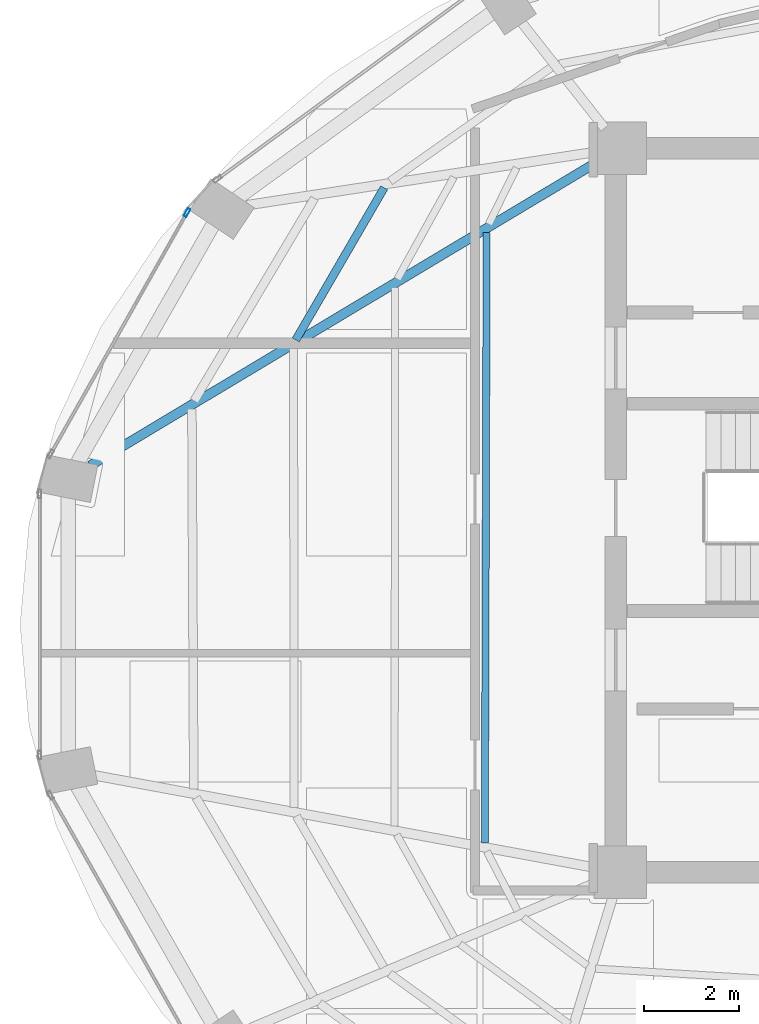
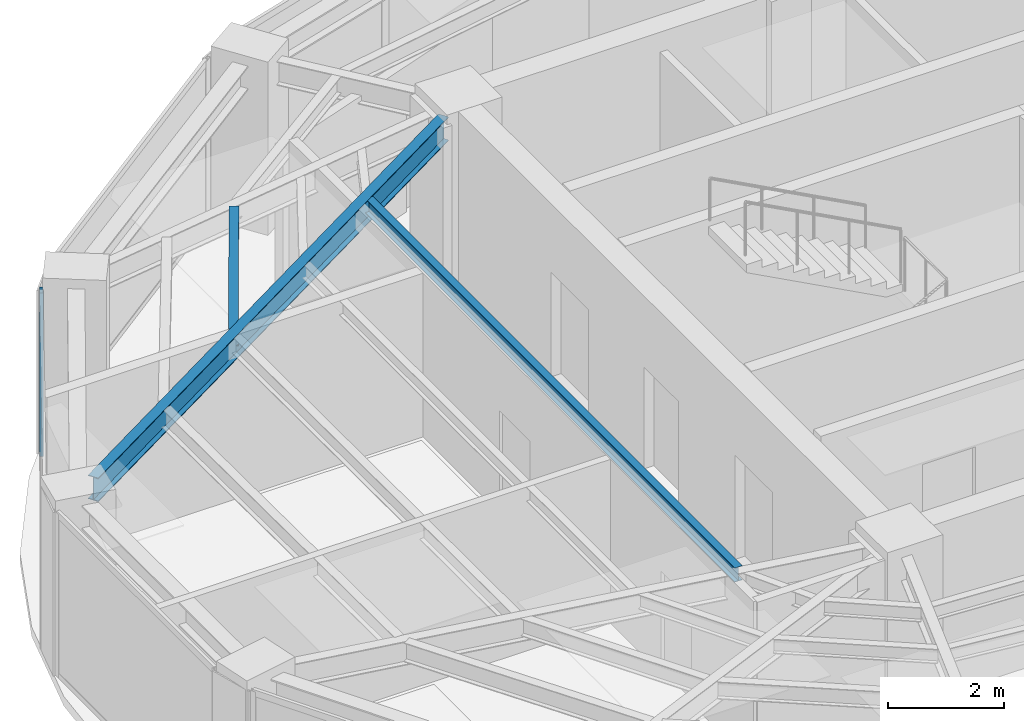
# One storey, part 9 of 23: 3 beams, 1 member, 1 element without a shape of its own.
"""IFC4 building model written with IfcOpenShell, lengths in metres."""

import ifcopenshell
import ifcopenshell.guid

model = None  # the IFC model being written
_history = None  # IfcOwnerHistory: only IFC2X3 demands one
_inside = {}  # id of a spatial element -> (the spatial element, [elements in it])
_under = {}  # id of a project, library or spatial element -> (it, [spatial elements below it])
_declared = {}  # id of a project -> (the project, [libraries it declares])
_typed = {}  # id of a type object -> (the type object, [elements of that type])
_made_of = {}  # id of a material, layer set ... -> (it, [elements and type objects made of it])


def new_model(schema):
    """Start an empty IFC model of exactly this schema.

    Asked for "IFC4X3", IfcOpenShell would pick the latest addendum, in which some entities
    have other attributes; the version numbers below select the first issue.
    IFC2X3 requires an IfcOwnerHistory on every rooted entity: one is made here for all.
    """
    global model, _history
    if schema == "IFC4X3":
        model = ifcopenshell.file(schema_version=(4, 3, 0, 0))
    else:
        model = ifcopenshell.file(schema=schema)
    _inside.clear()
    _under.clear()
    _declared.clear()
    _typed.clear()
    _made_of.clear()
    _history = None
    if model.schema == "IFC2X3":
        org = make("IfcOrganization", Name="unknown")
        user = make(
            "IfcPersonAndOrganization",
            ThePerson=make("IfcPerson", FamilyName="unknown"),
            TheOrganization=org,
        )
        app = make(
            "IfcApplication",
            ApplicationDeveloper=org,
            Version="unknown",
            ApplicationFullName="unknown",
            ApplicationIdentifier="unknown",
        )
        _history = make(
            "IfcOwnerHistory",
            OwningUser=user,
            OwningApplication=app,
            ChangeAction="ADDED",
            CreationDate=0,
        )
    return model


def make(cls, **values):
    """One entity of the class cls with the attributes given. An attribute that is None is left unset."""
    return model.create_entity(
        cls, **{name: value for name, value in values.items() if value is not None}
    )


def rooted(cls, **values):
    """An entity with a GlobalId (a new one), such as an element, a storey or a relation."""
    return make(cls, GlobalId=ifcopenshell.guid.new(), OwnerHistory=_history, **values)


def si_unit(unit_type, name, prefix=None):
    """IfcSIUnit, for example si_unit("LENGTHUNIT", "METRE", prefix="MILLI")."""
    return make("IfcSIUnit", UnitType=unit_type, Prefix=prefix, Name=name)


def assignment(units):
    """IfcUnitAssignment: the units of a project."""
    return None if units is None else make("IfcUnitAssignment", Units=units)


def point(xyz):
    """IfcCartesianPoint."""
    return None if xyz is None else make("IfcCartesianPoint", Coordinates=xyz)


def direction(xyz):
    """IfcDirection."""
    return None if xyz is None else make("IfcDirection", DirectionRatios=xyz)


def frame(location, z_axis=None, x_axis=None):
    """IfcAxis2Placement3D, a coordinate frame: its origin and axes. An axis left out is left unset."""
    return make(
        "IfcAxis2Placement3D",
        Location=point(location),
        Axis=direction(z_axis),
        RefDirection=direction(x_axis),
    )


def frame_2d(location, x_axis=None):
    """IfcAxis2Placement2D, a coordinate frame in the plane: its origin and x axis."""
    return make(
        "IfcAxis2Placement2D", Location=point(location), RefDirection=direction(x_axis)
    )


def origin():
    """The frame at (0, 0, 0) with its axes left unset."""
    return frame((0.0, 0.0, 0.0))


def origin_2d():
    """The frame at (0, 0) in the plane with its x axis left unset."""
    return frame_2d((0.0, 0.0))


def place(relative_to, where):
    """IfcLocalPlacement: puts the frame where relative to a parent placement (None: the world)."""
    return make(
        "IfcLocalPlacement", PlacementRelTo=relative_to, RelativePlacement=where
    )


def context(
    kind, dimensions, precision=None, world=None, true_north=None, identifier=None
):
    """IfcGeometricRepresentationContext, for example the 3D "Model" context."""
    return make(
        "IfcGeometricRepresentationContext",
        ContextIdentifier=identifier,
        ContextType=kind,
        CoordinateSpaceDimension=dimensions,
        Precision=precision,
        WorldCoordinateSystem=world,
        TrueNorth=true_north,
    )


def subcontext(parent, identifier, kind, view, scale=None):
    """IfcGeometricRepresentationSubContext, for example "Body" below "Model"."""
    return make(
        "IfcGeometricRepresentationSubContext",
        ContextIdentifier=identifier,
        ContextType=kind,
        ParentContext=parent,
        TargetScale=scale,
        TargetView=view,
    )


def project(units=None, contexts=None):
    """IfcProject with its units and contexts."""
    return rooted(
        "IfcProject",
        Name="project",
        RepresentationContexts=contexts,
        UnitsInContext=assignment(units),
    )


def spatial(cls, under=None, at=None, **own):
    """A site, building, storey or space (cls), placed at a placement, below another one or the project."""
    s = rooted(cls, ObjectPlacement=at, **own)
    if under is not None:
        _under.setdefault(under.id(), (under, []))[1].append(s)
    return s


def profile(cls, at=None, kind="AREA", **sizes):
    """A parametric profile (cls). Its sizes go by their IFC names, for example OverallWidth=200.0."""
    return make(cls, ProfileType=kind, Position=at, **sizes)


def hollow_rectangle(**sizes):
    """IfcRectangleHollowProfileDef."""
    return profile("IfcRectangleHollowProfileDef", **sizes)


def i_section(**sizes):
    """IfcIShapeProfileDef."""
    return profile("IfcIShapeProfileDef", **sizes)


def extrude(swept, where, along, depth):
    """IfcExtrudedAreaSolid: the profile swept, set in the frame where, extruded along a direction by depth."""
    return make(
        "IfcExtrudedAreaSolid",
        SweptArea=swept,
        Position=where,
        ExtrudedDirection=direction(along),
        Depth=depth,
    )


def shape(context_of_items, identifier, shape_type, items):
    """IfcShapeRepresentation: the items that make up one representation, for example the "Body"."""
    return make(
        "IfcShapeRepresentation",
        ContextOfItems=context_of_items,
        RepresentationIdentifier=identifier,
        RepresentationType=shape_type,
        Items=items,
    )


def material(Name=None, Category=None):
    """IfcMaterial."""
    return make("IfcMaterial", Name=Name, Category=Category)


def layer(
    of_material, thickness, ventilated=None, Name=None, Category=None, Priority=None
):
    """IfcMaterialLayer: one layer of a wall or slab, of a material (None: an air gap)."""
    return make(
        "IfcMaterialLayer",
        Material=of_material,
        LayerThickness=thickness,
        IsVentilated=ventilated,
        Name=Name,
        Category=Category,
        Priority=Priority,
    )


def layer_set(layers, Name=None):
    """IfcMaterialLayerSet."""
    return make("IfcMaterialLayerSet", MaterialLayers=layers, LayerSetName=Name)


def material_profile(
    of_material, cross_section, Name=None, Category=None, Priority=None
):
    """IfcMaterialProfile: a cross section and its material."""
    return make(
        "IfcMaterialProfile",
        Name=Name,
        Material=of_material,
        Profile=cross_section,
        Priority=Priority,
        Category=Category,
    )


def profile_set(profiles, Name=None, composite=None):
    """IfcMaterialProfileSet."""
    return make(
        "IfcMaterialProfileSet",
        Name=Name,
        MaterialProfiles=profiles,
        CompositeProfile=composite,
    )


def made_of(thing, what):
    """Note that an element or type object is made of a material, layer set ...; save() writes the relation."""
    if what is not None:
        _made_of.setdefault(what.id(), (what, []))[1].append(thing)
    return thing


def type_object(cls, material=None, **own):
    """A type object (cls), such as IfcWallType, which elements share."""
    return made_of(rooted(cls, **own), material)


def element(
    cls,
    number,
    at=None,
    inside=None,
    cuts=None,
    type_object=None,
    material=None,
    context=None,
    identifier="Body",
    shape_type=None,
    held_by="IfcProductDefinitionShape",
    body=None,
    shapes=None,
    **own,
):
    """One element of the class cls, such as IfcWall. Its Tag is "e" and its number.

    at: its placement. inside: the storey or other place that contains it. cuts: it is an
    opening in that element (IfcRelVoidsElement). A single representation is given by context,
    identifier, shape_type and body (its items); several are given by shapes. held_by: the class
    of the entity that holds the representations. save() writes the other relations.
    """
    e = rooted(cls, Tag="e%d" % number, ObjectPlacement=at, **own)
    if body is not None:
        shapes = [shape(context, identifier, shape_type, body)]
    if shapes is not None:
        e.Representation = make(held_by, Representations=shapes)
    if inside is not None:
        _inside.setdefault(inside.id(), (inside, []))[1].append(e)
    if cuts is not None:
        rooted(
            "IfcRelVoidsElement", RelatingBuildingElement=cuts, RelatedOpeningElement=e
        )
    if type_object is not None:
        _typed.setdefault(type_object.id(), (type_object, []))[1].append(e)
    return made_of(e, material)


def aggregate(whole, parts):
    """IfcRelAggregates: a whole, such as a stair, and the parts it consists of."""
    return rooted("IfcRelAggregates", RelatingObject=whole, RelatedObjects=parts)


def save(model, path):
    """Write the relations noted so far, then the file.

    IfcRelAggregates (storeys below a building ...), IfcRelContainedInSpatialStructure (elements
    in a storey), IfcRelDefinesByType, IfcRelAssociatesMaterial and IfcRelDeclares: one each for
    every whole, place, type object, material and project.
    """
    for whole, parts in _under.values():
        aggregate(whole, parts)
    for where, things in _inside.values():
        rooted(
            "IfcRelContainedInSpatialStructure",
            RelatedElements=things,
            RelatingStructure=where,
        )
    for kind, things in _typed.values():
        rooted("IfcRelDefinesByType", RelatedObjects=things, RelatingType=kind)
    for what, things in _made_of.values():
        rooted("IfcRelAssociatesMaterial", RelatedObjects=things, RelatingMaterial=what)
    for by, libraries in _declared.values():
        rooted("IfcRelDeclares", RelatingContext=by, RelatedDefinitions=libraries)
    model.write(path)


model = new_model("IFC4")

# Units and contexts
model_context = context("Model", 3, precision=1e-05, world=origin(), true_north=direction((0.0, 1.0)))
body_context = subcontext(model_context, "Body", "Model", "MODEL_VIEW")
ifc_project = project(units=[si_unit("LENGTHUNIT", "METRE"), si_unit("AREAUNIT", "SQUARE_METRE"), si_unit("VOLUMEUNIT", "CUBIC_METRE"), si_unit("PLANEANGLEUNIT", "RADIAN"), si_unit("MASSUNIT", "GRAM", prefix="KILO")], contexts=[model_context])

# Site, building, storey
site_placement = place(None, origin())
site = spatial("IfcSite", under=ifc_project, at=site_placement, CompositionType="ELEMENT")
building_placement = place(site_placement, origin())
building = spatial("IfcBuilding", under=site, at=building_placement, Name="Lazwardi Medical Tower", CompositionType="ELEMENT")
storey_placement = place(building_placement, frame((0.0, 0.0, 262.320068359375)))
storey = spatial("IfcBuildingStorey", under=building, at=storey_placement, Name="L68", CompositionType="ELEMENT", Elevation=262.320068359375)

# Beams
ifc_material_1 = material(Name="Steel S355", Category="steel")
ifc_material_profile_1 = material_profile(ifc_material_1, i_section(OverallWidth=0.199951171875, OverallDepth=0.5, WebThickness=0.01025390625, FlangeThickness=0.01611328125, at=origin_2d()), Name="IPE 500")
ifc_profile_set_1 = profile_set([ifc_material_profile_1], Name="Steel S355")
beam_type_1 = type_object("IfcBeamType", Name="BM-RG-W3", PredefinedType="BEAM", material=ifc_profile_set_1)
beam_1_placement = place(storey_placement, frame((15.27392578125, 28.937744140625, 3.197998046875), z_axis=(0.857944804603, 0.513741873176, 0.0), x_axis=(-0.513741873176, 0.857944804603, 0.0)))
element("IfcBeam", 1, at=beam_1_placement, inside=storey, type_object=beam_type_1, Name="Radial girder RG-04 R12 L68", PredefinedType="BEAM", context=body_context, shape_type="SweptSolid", body=[
    extrude(i_section(OverallWidth=0.199951171875, OverallDepth=0.5, WebThickness=0.01025390625, FlangeThickness=0.01611328125, at=origin_2d()), origin(), (0.0, 0.0, 1.0), 12.43310546875),
])
ifc_material_profile_2 = material_profile(ifc_material_1, i_section(OverallWidth=0.169921875, OverallDepth=0.360107421875, WebThickness=0.008056640625, FlangeThickness=0.0126953125, at=origin_2d()), Name="IPE 360")
ifc_profile_set_2 = profile_set([ifc_material_profile_2], Name="Steel S355")
beam_type_2 = type_object("IfcBeamType", Name="BM-SJ-02", PredefinedType="JOIST", material=ifc_profile_set_2)
beam_2_placement = place(storey_placement, frame((21.4423828125, 34.767578125, 3.267822265625), z_axis=(-0.50218018565, -0.864763008657, 0.0), x_axis=(0.864763008657, -0.50218018565, 0.0)))
element("IfcBeam", 2, at=beam_2_placement, inside=storey, type_object=beam_type_2, Name="Secondary joist SJ-02 R2 B11 L68", PredefinedType="JOIST", context=body_context, shape_type="SweptSolid", body=[
    extrude(i_section(OverallWidth=0.169921875, OverallDepth=0.360107421875, WebThickness=0.008056640625, FlangeThickness=0.0126953125, at=origin_2d()), origin(), (0.0, 0.0, 1.0), 3.69189453125),
])
ifc_material_profile_3 = material_profile(ifc_material_1, i_section(OverallWidth=0.14990234375, OverallDepth=0.300048828125, WebThickness=0.007080078125, FlangeThickness=0.0107421875, at=origin_2d()), Name="IPE 300")
ifc_profile_set_3 = profile_set([ifc_material_profile_3], Name="Steel S355")
beam_type_3 = type_object("IfcBeamType", Name="BM-SJ-03", PredefinedType="JOIST", material=ifc_profile_set_3)
beam_3_placement = place(storey_placement, frame((23.593994140625, 33.824951171875, 3.2978515625), z_axis=(-0.002897930673, -0.99999580099, 0.0), x_axis=(0.99999580099, -0.002897930673, 0.0)))
element("IfcBeam", 3, at=beam_3_placement, inside=storey, type_object=beam_type_3, Name="Secondary joist SJ-03 R4 B12 L68", PredefinedType="JOIST", context=body_context, shape_type="SweptSolid", body=[
    extrude(i_section(OverallWidth=0.14990234375, OverallDepth=0.300048828125, WebThickness=0.007080078125, FlangeThickness=0.0107421875, at=origin_2d()), origin(), (0.0, 0.0, 1.0), 12.805419921875),
])

# Curtain wall, member
ifc_material_2 = material(Name="Anodised bronze aluminium and solar control glazing", Category="aluminium")
ifc_layer = layer(ifc_material_2, 0.18994140625)
ifc_layer_set = layer_set([ifc_layer], Name="Anodised bronze aluminium and solar control glazing")
curtain_wall_type = type_object("IfcCurtainWallType", Name="CW-SYS-04", PredefinedType="NOTDEFINED", material=ifc_layer_set)
curtain_wall_placement = place(storey_placement, origin())
curtain_wall = element("IfcCurtainWall", 4, at=curtain_wall_placement, inside=storey, type_object=curtain_wall_type, Name="L68 Unitised bronze curtain wall CW-04", PredefinedType="NOTDEFINED")
ifc_material_3 = material(Name="Anodised bronze aluminium", Category="aluminium")
ifc_material_profile_4 = material_profile(ifc_material_3, hollow_rectangle(XDim=0.06494140625, YDim=0.179931640625, WallThickness=0.00390625, at=origin_2d()), Name="ALU-MULLION 180x65x4")
ifc_profile_set_4 = profile_set([ifc_material_profile_4], Name="Anodised bronze aluminium")
member_type = type_object("IfcMemberType", Name="CW-MUL-03", PredefinedType="MULLION", material=ifc_profile_set_4)
member_placement = place(storey_placement, frame((17.3056640625, 34.24560546875, 0.0), z_axis=(0.0, 0.0, 1.0), x_axis=(0.870651436011, -0.491900474661, 0.0)))
member = element("IfcMember", 5, at=member_placement, type_object=member_type, Name="CW-04 mullion 1", PredefinedType="MULLION", context=body_context, shape_type="SweptSolid", body=[
    extrude(hollow_rectangle(XDim=0.06494140625, YDim=0.179931640625, WallThickness=0.00390625, at=origin_2d()), origin(), (0.0, 0.0, 1.0), 3.447998046875),
])
aggregate(curtain_wall, [member])

save(model, "model.ifc")
